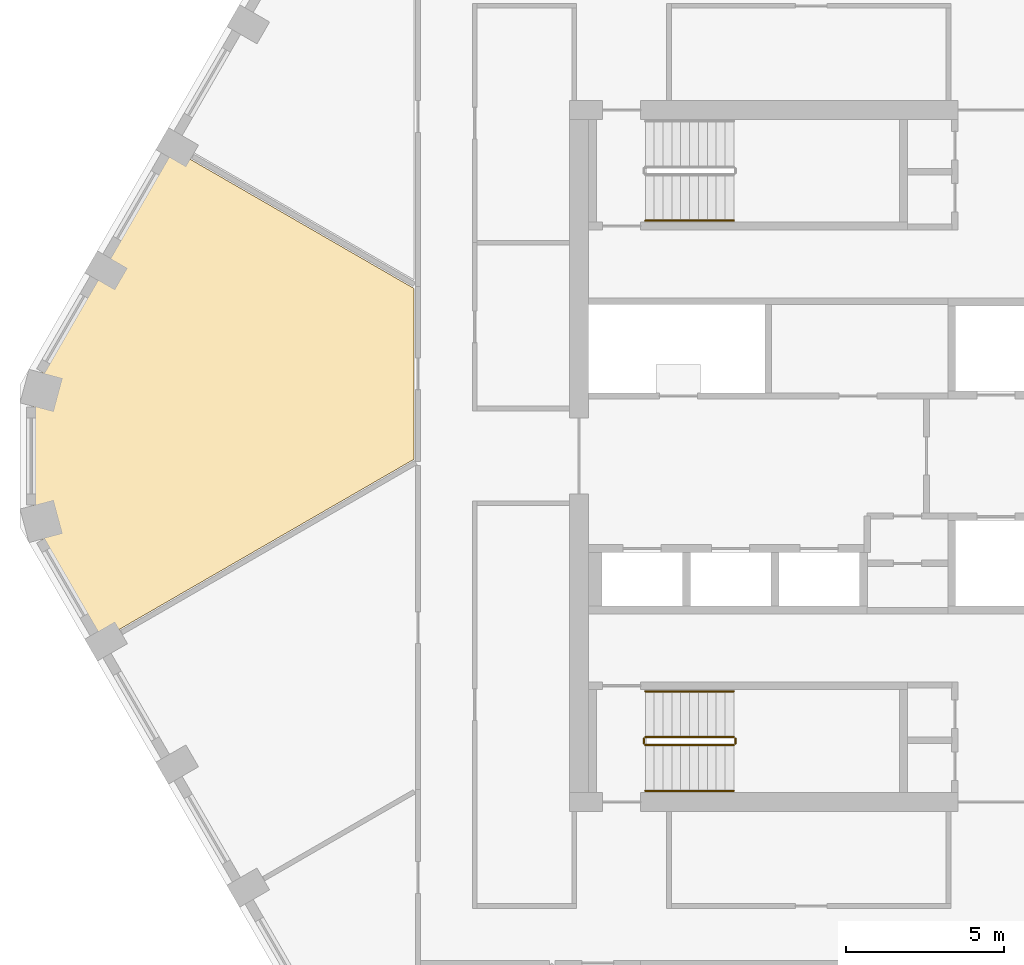
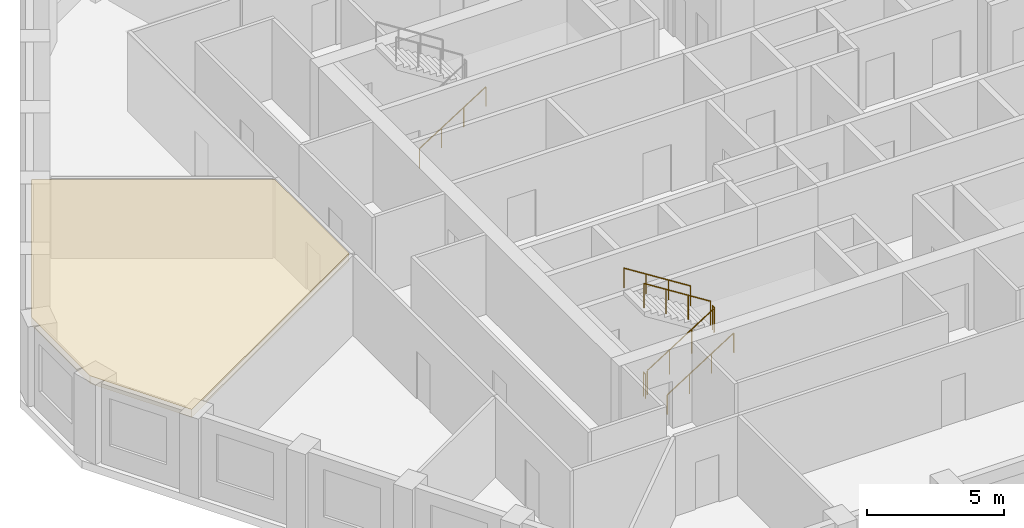
# One storey, part 9 of 13: 7 railings, 1 covering.
"""IFC4 building model written with IfcOpenShell, lengths in metres."""

from ifc_helpers import new_model, si_unit, direction, frame, origin, origin_2d, place, context, subcontext, project, spatial, polyline, circle, outline, extrude, material, layer, layer_set, type_object, element, save


model = new_model("IFC4")

# Units and contexts
model_context = context("Model", 3, precision=1e-05, world=origin(), true_north=direction((0.0, 1.0)))
body_context = subcontext(model_context, "Body", "Model", "MODEL_VIEW")
ifc_project = project(units=[si_unit("LENGTHUNIT", "METRE"), si_unit("AREAUNIT", "SQUARE_METRE"), si_unit("VOLUMEUNIT", "CUBIC_METRE"), si_unit("PLANEANGLEUNIT", "RADIAN"), si_unit("MASSUNIT", "GRAM", prefix="KILO")], contexts=[model_context])

# Site, building, storey
site_placement = place(None, origin())
site = spatial("IfcSite", under=ifc_project, at=site_placement, CompositionType="ELEMENT")
building_placement = place(site_placement, origin())
building = spatial("IfcBuilding", under=site, at=building_placement, Name="Dhurran Vertical Campus", CompositionType="ELEMENT")
storey_placement = place(building_placement, frame((0.0, 0.0, 187.800048828125)))
storey = spatial("IfcBuildingStorey", under=building, at=storey_placement, Name="L46", CompositionType="ELEMENT", Elevation=187.800048828125)

# Railings
ifc_material_1 = material(Name="Stainless steel balustrade", Category="steel")
railing_type_1 = type_object("IfcRailingType", Name="co-RL-GUARD-1100", PredefinedType="GUARDRAIL", material=ifc_material_1)
railing_1_placement = place(storey_placement, frame((-11.10009765625, -9.14990234375, 0.17724609375)))
element("IfcRailing", 1, at=railing_1_placement, inside=storey, type_object=railing_type_1, Name="L46 ST3 stair guard 1", PredefinedType="GUARDRAIL", context=body_context, shape_type="SweptSolid", body=[
    extrude(circle(Radius=0.02392578125, at=origin_2d()), frame((0.0, 0.0, 1.076171875), z_axis=(0.844908973607, 0.0, 0.534910110503), x_axis=(0.0, 1.0, 0.0)), (0.0, 0.0, 1.0), 3.31396484375),
    extrude(circle(Radius=0.02099609375, at=origin_2d()), origin(), (0.0, 0.0, 1.0), 1.052001953125),
    extrude(circle(Radius=0.02099609375, at=origin_2d()), frame((0.933349609375, 0.0, 0.5908203125)), (0.0, 0.0, 1.0), 1.052001953125),
    extrude(circle(Radius=0.02099609375, at=origin_2d()), frame((1.86669921875, 0.0, 1.181884765625)), (0.0, 0.0, 1.0), 1.052001953125),
    extrude(circle(Radius=0.02099609375, at=origin_2d()), frame((2.800048828125, 0.0, 1.772705078125)), (0.0, 0.0, 1.0), 1.052001953125),
])
railing_2_placement = place(storey_placement, frame((-8.25, -9.10009765625, 1.949951171875)))
element("IfcRailing", 2, at=railing_2_placement, inside=storey, type_object=railing_type_1, Name="L46 ST3 stair guard 2", PredefinedType="GUARDRAIL", context=body_context, shape_type="SweptSolid", body=[
    extrude(circle(Radius=0.02392578125, at=origin_2d()), frame((0.0, 0.0, 1.076171875), z_axis=(0.0, 1.0, 0.0), x_axis=(-1.0, 0.0, 0.0)), (0.0, 0.0, 1.0), 0.150146484375),
    extrude(circle(Radius=0.02099609375, at=origin_2d()), origin(), (0.0, 0.0, 1.0), 1.052001953125),
    extrude(circle(Radius=0.02099609375, at=origin_2d()), frame((0.0, 0.150146484375, 0.0)), (0.0, 0.0, 1.0), 1.052001953125),
])
railing_3_placement = place(storey_placement, frame((-8.300048828125, -8.89990234375, 2.127197265625)))
element("IfcRailing", 3, at=railing_3_placement, inside=storey, type_object=railing_type_1, Name="L46 ST3 stair guard 3", PredefinedType="GUARDRAIL", context=body_context, shape_type="SweptSolid", body=[
    extrude(circle(Radius=0.02392578125, at=origin_2d()), frame((0.0, 0.0, 1.076171875), z_axis=(-0.844908973607, 0.0, 0.534910110503), x_axis=(0.0, -1.0, 0.0)), (0.0, 0.0, 1.0), 3.31396484375),
    extrude(circle(Radius=0.02099609375, at=origin_2d()), origin(), (0.0, 0.0, 1.0), 1.052001953125),
    extrude(circle(Radius=0.02099609375, at=origin_2d()), frame((-0.933349609375, 0.0, 0.5908203125)), (0.0, 0.0, 1.0), 1.052001953125),
    extrude(circle(Radius=0.02099609375, at=origin_2d()), frame((-1.86669921875, 0.0, 1.181884765625)), (0.0, 0.0, 1.0), 1.052001953125),
    extrude(circle(Radius=0.02099609375, at=origin_2d()), frame((-2.800048828125, 0.0, 1.772705078125)), (0.0, 0.0, 1.0), 1.052001953125),
])
railing_4_placement = place(storey_placement, frame((-11.14990234375, -9.10009765625, 0.0)))
element("IfcRailing", 4, at=railing_4_placement, inside=storey, type_object=railing_type_1, Name="L46 ST3 stair guard 4", PredefinedType="GUARDRAIL", context=body_context, shape_type="SweptSolid", body=[
    extrude(circle(Radius=0.02392578125, at=origin_2d()), frame((0.0, 0.0, 1.076171875), z_axis=(0.0, 1.0, 0.0), x_axis=(-1.0, 0.0, 0.0)), (0.0, 0.0, 1.0), 0.150146484375),
    extrude(circle(Radius=0.02099609375, at=origin_2d()), origin(), (0.0, 0.0, 1.0), 1.052001953125),
    extrude(circle(Radius=0.02099609375, at=origin_2d()), frame((0.0, 0.150146484375, 0.0)), (0.0, 0.0, 1.0), 1.052001953125),
])
ifc_material_2 = material(Name="Stainless steel handrail", Category="steel")
railing_type_2 = type_object("IfcRailingType", Name="co-RL-HANDRAIL-900", PredefinedType="HANDRAIL", material=ifc_material_2)
for number, where, name in (
    (5, (-11.10009765625, 7.449951171875, 0.17724609375), "L46 ST1 stair handrail 1"),
    (6, (-11.10009765625, -10.60009765625, 0.17724609375), "L46 ST3 stair handrail 1"),
):
    element("IfcRailing", number, at=place(storey_placement, frame(where)), inside=storey, type_object=railing_type_2, Name=name, PredefinedType="HANDRAIL", context=body_context, shape_type="SweptSolid", body=[
        extrude(circle(Radius=0.02392578125, at=origin_2d()), frame((0.0, 0.0, 0.8759765625), z_axis=(0.844908973607, 0.0, 0.534910110503), x_axis=(0.0, 1.0, 0.0)), (0.0, 0.0, 1.0), 3.31396484375),
        extrude(circle(Radius=0.02099609375, at=origin_2d()), origin(), (0.0, 0.0, 1.0), 0.851806640625),
        extrude(circle(Radius=0.02099609375, at=origin_2d()), frame((0.933349609375, 0.0, 0.5908203125)), (0.0, 0.0, 1.0), 0.851806640625),
        extrude(circle(Radius=0.02099609375, at=origin_2d()), frame((1.86669921875, 0.0, 1.181884765625)), (0.0, 0.0, 1.0), 0.851806640625),
        extrude(circle(Radius=0.02099609375, at=origin_2d()), frame((2.800048828125, 0.0, 1.772705078125)), (0.0, 0.0, 1.0), 0.851806640625),
    ])
railing_5_placement = place(storey_placement, frame((-8.300048828125, -7.449951171875, 2.127197265625)))
element("IfcRailing", 7, at=railing_5_placement, inside=storey, type_object=railing_type_2, Name="L46 ST3 stair handrail 2", PredefinedType="HANDRAIL", context=body_context, shape_type="SweptSolid", body=[
    extrude(circle(Radius=0.02392578125, at=origin_2d()), frame((0.0, 0.0, 0.8759765625), z_axis=(-0.844908973607, 0.0, 0.534910110503), x_axis=(0.0, -1.0, 0.0)), (0.0, 0.0, 1.0), 3.31396484375),
    extrude(circle(Radius=0.02099609375, at=origin_2d()), origin(), (0.0, 0.0, 1.0), 0.851806640625),
    extrude(circle(Radius=0.02099609375, at=origin_2d()), frame((-0.933349609375, 0.0, 0.5908203125)), (0.0, 0.0, 1.0), 0.851806640625),
    extrude(circle(Radius=0.02099609375, at=origin_2d()), frame((-1.86669921875, 0.0, 1.181884765625)), (0.0, 0.0, 1.0), 0.851806640625),
    extrude(circle(Radius=0.02099609375, at=origin_2d()), frame((-2.800048828125, 0.0, 1.772705078125)), (0.0, 0.0, 1.0), 0.851806640625),
])

# Covering
ifc_material_3 = material(Name="Mineral fibre ceiling tiles on suspended grid")
ifc_layer = layer(ifc_material_3, 0.35009765625)
ifc_layer_set = layer_set([ifc_layer], Name="Mineral fibre ceiling tiles on suspended grid")
covering_type = type_object("IfcCoveringType", Name="fl-CE-350 suspended ceiling", PredefinedType="CEILING", material=ifc_layer_set)
covering_placement = place(storey_placement, frame((0.0, 0.0, 3.199951171875)))
element("IfcCovering", 8, at=covering_placement, inside=storey, type_object=covering_type, Name="Ceiling 46-09", PredefinedType="CEILING", context=body_context, shape_type="SweptSolid", body=[
    extrude(outline(polyline([(-28.343017578125, -5.8330078125), (-30.47705078125, -2.137939453125), (-30.47705078125, 2.137939453125), (-26.093017578125, 9.72998046875), (-18.419921875, 5.300048828125), (-18.419921875, -0.10400390625), (-28.343017578125, -5.8330078125)])), origin(), (0.0, 0.0, 1.0), 0.35009765625),
])

save(model, "model.ifc")
